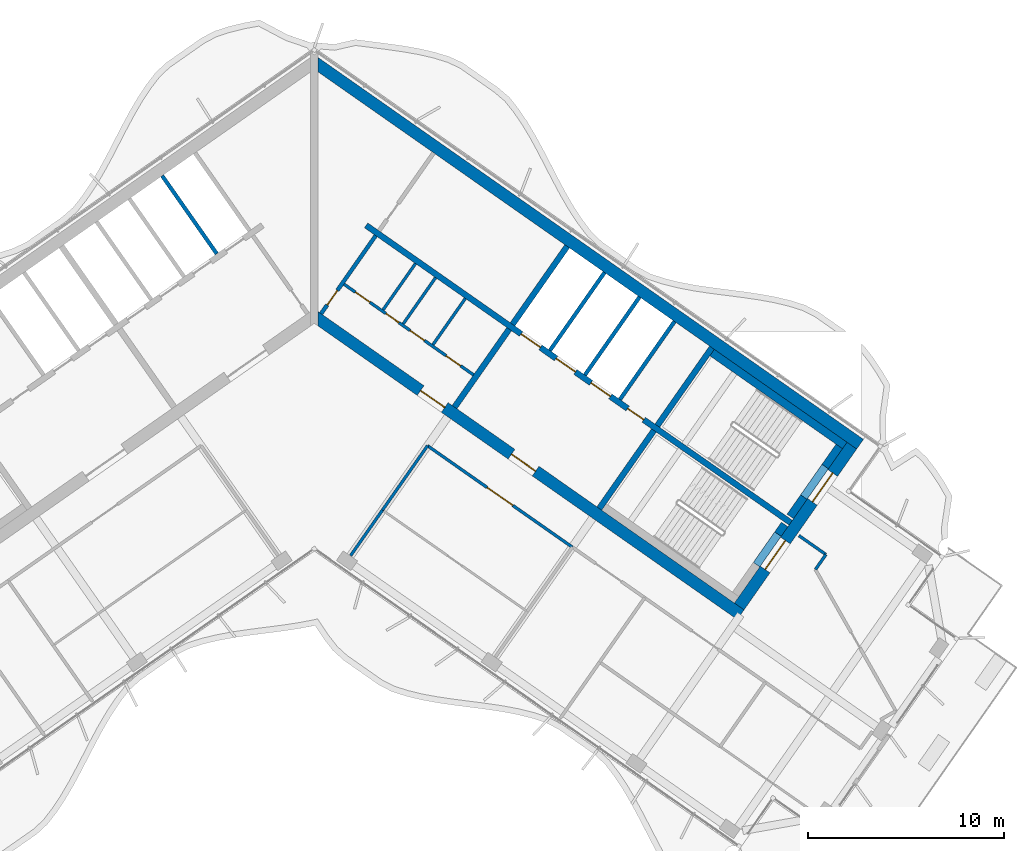
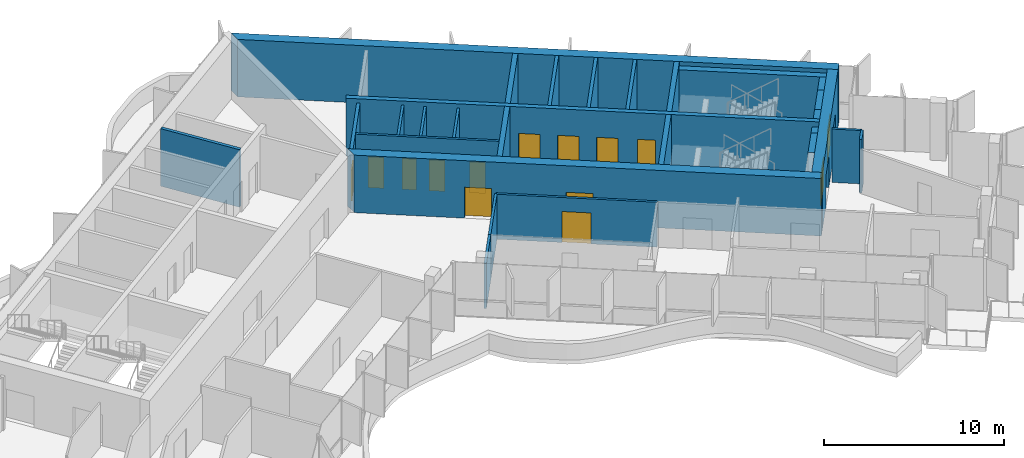
# One storey, part 13 of 21: 28 walls, 14 doors, 14 openings.
"""IFC4 building model written with IfcOpenShell, lengths in metres."""

from ifc_helpers import new_model, si_unit, direction, frame, frame_2d, origin, place, context, subcontext, project, spatial, polyline, rectangle, outline, extrude, material, layer, layer_set, type_object, element, fill, save


model = new_model("IFC4")

# Units and contexts
model_context = context("Model", 3, precision=1e-05, world=origin(), true_north=direction((0.0, 1.0)))
body_context = subcontext(model_context, "Body", "Model", "MODEL_VIEW")
ifc_project = project(units=[si_unit("LENGTHUNIT", "METRE"), si_unit("AREAUNIT", "SQUARE_METRE"), si_unit("VOLUMEUNIT", "CUBIC_METRE"), si_unit("PLANEANGLEUNIT", "RADIAN"), si_unit("MASSUNIT", "GRAM", prefix="KILO")], contexts=[model_context])

# Site, building, storey
site_placement = place(None, origin())
site = spatial("IfcSite", under=ifc_project, at=site_placement, CompositionType="ELEMENT")
building_placement = place(site_placement, origin())
building = spatial("IfcBuilding", under=site, at=building_placement, Name="Tel Ilan Convention Tower", CompositionType="ELEMENT")
storey_placement = place(building_placement, frame((0.0, 0.0, 225.39990234375)))
storey = spatial("IfcBuildingStorey", under=building, at=storey_placement, Name="L52", CompositionType="ELEMENT", Elevation=225.39990234375)

# Wall, openings, doors
ifc_material_1 = material(Name="Gypsum Plasterboard on Steel Stud", Category="steel")
ifc_layer_1 = layer(ifc_material_1, 0.14990234375)
ifc_layer_set_1 = layer_set([ifc_layer_1], Name="Core Room Partition Wall 150 mm EI 60")
wall_type_1 = type_object("IfcWallType", Name="Core Room Partition Wall 150 mm EI 60", PredefinedType="PARTITIONING", material=ifc_layer_set_1)
wall_1_placement = place(storey_placement, frame((1.515625, 0.77001953125, 0.0), z_axis=(0.0, 0.0, 1.0), x_axis=(0.819146424436, -0.573584462249, 0.0)))
wall_1 = element("IfcWall", 1, at=wall_1_placement, inside=storey, type_object=wall_type_1, Name="L52 core wall wc-h1", PredefinedType="PARTITIONING", context=body_context, shape_type="SweptSolid", body=[
    extrude(rectangle(XDim=8.050048828125, YDim=0.14990234375, at=frame_2d((4.02490234375, 0.0))), origin(), (0.0, 0.0, 1.0), 3.6201171875),
])
opening_1_placement = place(wall_1_placement, frame((0.699951171875, 0.0, 0.0)))
opening_1 = element("IfcOpeningElement", 2, at=opening_1_placement, cuts=wall_1, Name="Opening CD4113", PredefinedType="OPENING", context=body_context, shape_type="SweptSolid", body=[
    extrude(rectangle(XDim=0.89990234375, YDim=2.10009765625, at=frame_2d((0.449951171875, 1.050048828125))), frame((0.0, 0.0849609375, 0.0), z_axis=(0.0, -1.0, 0.0), x_axis=(1.0, 0.0, 0.0)), (0.0, 0.0, 1.0), 0.169921875),
])
opening_2_placement = place(wall_1_placement, frame((2.60009765625, 0.0, 0.0)))
opening_2 = element("IfcOpeningElement", 3, at=opening_2_placement, cuts=wall_1, Name="Opening CD4112", PredefinedType="OPENING", context=body_context, shape_type="SweptSolid", body=[
    extrude(rectangle(XDim=0.800048828125, YDim=2.10009765625, at=frame_2d((0.39990234375, 1.050048828125))), frame((0.0, 0.0849609375, 0.0), z_axis=(0.0, -1.0, 0.0), x_axis=(1.0, 0.0, 0.0)), (0.0, 0.0, 1.0), 0.169921875),
])
opening_3_placement = place(wall_1_placement, frame((4.10009765625, 0.0, 0.0)))
opening_3 = element("IfcOpeningElement", 4, at=opening_3_placement, cuts=wall_1, Name="Opening CD4111", PredefinedType="OPENING", context=body_context, shape_type="SweptSolid", body=[
    extrude(rectangle(XDim=0.89990234375, YDim=2.10009765625, at=frame_2d((0.449951171875, 1.050048828125))), frame((0.0, 0.0849609375, 0.0), z_axis=(0.0, -1.0, 0.0), x_axis=(1.0, 0.0, 0.0)), (0.0, 0.0, 1.0), 0.169921875),
])
opening_4_placement = place(wall_1_placement, frame((6.35009765625, 0.0, 0.0)))
opening_4 = element("IfcOpeningElement", 5, at=opening_4_placement, cuts=wall_1, Name="Opening CD4114", PredefinedType="OPENING", context=body_context, shape_type="SweptSolid", body=[
    extrude(rectangle(XDim=0.89990234375, YDim=2.10009765625, at=frame_2d((0.449951171875, 1.050048828125))), frame((0.0, 0.0849609375, 0.0), z_axis=(0.0, -1.0, 0.0), x_axis=(1.0, 0.0, 0.0)), (0.0, 0.0, 1.0), 0.169921875),
])
ifc_material_2 = material(Name="Galvanised Steel Door Leaf", Category="steel")
door_type_1 = type_object("IfcDoorType", Name="Store Door 800 x 2100 FD60", OperationType="NOTDEFINED", PredefinedType="DOOR", material=ifc_material_2)
door_1_placement = place(opening_2_placement, origin())
door_1 = element("IfcDoor", 6, at=door_1_placement, inside=storey, type_object=door_type_1, Name="Cleaner's store door", OperationType="SINGLE_SWING_RIGHT", OverallHeight=2.10009765625, OverallWidth=0.800048828125, PredefinedType="DOOR", context=body_context, shape_type="SweptSolid", body=[
    extrude(rectangle(XDim=0.800048828125, YDim=2.10009765625, at=frame_2d((0.39990234375, 1.050048828125))), frame((0.0, 0.02490234375, 0.0), z_axis=(0.0, -1.0, 0.0), x_axis=(1.0, 0.0, 0.0)), (0.0, 0.0, 1.0), 0.050048828125),
])
fill(opening_2, door_1)
ifc_material_3 = material(Name="Laminated Timber Door Leaf", Category="wood")
door_type_2 = type_object("IfcDoorType", Name="Toilet Door 900 x 2100 FD30S", OperationType="NOTDEFINED", PredefinedType="DOOR", material=ifc_material_3)
door_2_placement = place(opening_1_placement, origin())
door_2 = element("IfcDoor", 7, at=door_2_placement, inside=storey, type_object=door_type_2, Name="Men's WC door", OperationType="SINGLE_SWING_RIGHT", OverallHeight=2.10009765625, OverallWidth=0.89990234375, PredefinedType="DOOR", context=body_context, shape_type="SweptSolid", body=[
    extrude(rectangle(XDim=0.89990234375, YDim=2.10009765625, at=frame_2d((0.449951171875, 1.050048828125))), frame((0.0, 0.02490234375, 0.0), z_axis=(0.0, -1.0, 0.0), x_axis=(1.0, 0.0, 0.0)), (0.0, 0.0, 1.0), 0.050048828125),
])
fill(opening_1, door_2)
door_3_placement = place(opening_3_placement, origin())
door_3 = element("IfcDoor", 8, at=door_3_placement, inside=storey, type_object=door_type_2, Name="Accessible WC door", OperationType="SINGLE_SWING_RIGHT", OverallHeight=2.10009765625, OverallWidth=0.89990234375, PredefinedType="DOOR", context=body_context, shape_type="SweptSolid", body=[
    extrude(rectangle(XDim=0.89990234375, YDim=2.10009765625, at=frame_2d((0.449951171875, 1.050048828125))), frame((0.0, 0.02490234375, 0.0), z_axis=(0.0, -1.0, 0.0), x_axis=(1.0, 0.0, 0.0)), (0.0, 0.0, 1.0), 0.050048828125),
])
fill(opening_3, door_3)
door_4_placement = place(opening_4_placement, origin())
door_4 = element("IfcDoor", 9, at=door_4_placement, inside=storey, type_object=door_type_2, Name="Women's WC door", OperationType="SINGLE_SWING_RIGHT", OverallHeight=2.10009765625, OverallWidth=0.89990234375, PredefinedType="DOOR", context=body_context, shape_type="SweptSolid", body=[
    extrude(rectangle(XDim=0.89990234375, YDim=2.10009765625, at=frame_2d((0.449951171875, 1.050048828125))), frame((0.0, 0.02490234375, 0.0), z_axis=(0.0, -1.0, 0.0), x_axis=(1.0, 0.0, 0.0)), (0.0, 0.0, 1.0), 0.050048828125),
])
fill(opening_4, door_4)

# Walls
wall_2_placement = place(storey_placement, frame((3.504150390625, -0.531005859375, 0.0), z_axis=(0.0, 0.0, 1.0), x_axis=(0.573582013179, 0.819148139324, 0.0)))
element("IfcWall", 10, at=wall_2_placement, inside=storey, type_object=wall_type_1, Name="L52 core wall wc-v0", PredefinedType="PARTITIONING", context=body_context, shape_type="SweptSolid", body=[
    extrude(rectangle(XDim=2.875244140625, YDim=0.14990234375, at=frame_2d((1.4375, 0.0))), origin(), (0.0, 0.0, 1.0), 3.6201171875),
])
wall_3_placement = place(storey_placement, frame((4.528076171875, -1.247802734375, 0.0), z_axis=(0.0, 0.0, 1.0), x_axis=(0.573621911162, 0.819120200602, 0.0)))
element("IfcWall", 11, at=wall_3_placement, inside=storey, type_object=wall_type_1, Name="L52 core wall wc-v1", PredefinedType="PARTITIONING", context=body_context, shape_type="SweptSolid", body=[
    extrude(rectangle(XDim=2.875, YDim=0.14990234375, at=frame_2d((1.4375, 0.0))), origin(), (0.0, 0.0, 1.0), 3.6201171875),
])
wall_4_placement = place(storey_placement, frame((6.043701171875, -2.30908203125, 0.0), z_axis=(0.0, 0.0, 1.0), x_axis=(0.573564930514, 0.819160100642, 0.0)))
element("IfcWall", 12, at=wall_4_placement, inside=storey, type_object=wall_type_1, Name="L52 core wall wc-v2", PredefinedType="PARTITIONING", context=body_context, shape_type="SweptSolid", body=[
    extrude(rectangle(XDim=2.874755859375, YDim=0.14990234375, at=frame_2d((1.4375, 0.0))), origin(), (0.0, 0.0, 1.0), 3.6201171875),
])

# Wall, opening, door
ifc_material_4 = material(Name="Concrete C30/37", Category="concrete")
ifc_layer_2 = layer(ifc_material_4, 0.199951171875)
ifc_layer_set_2 = layer_set([ifc_layer_2], Name="Core Service Room Wall 200 mm C30/37")
wall_type_2 = type_object("IfcWallType", Name="Core Service Room Wall 200 mm C30/37", PredefinedType="SOLIDWALL", material=ifc_layer_set_2)
wall_5_placement = place(storey_placement, frame((0.343994140625, -0.729248046875, 0.0), z_axis=(0.0, 0.0, 1.0), x_axis=(0.573560315113, 0.819163332265, 0.0)))
wall_5 = element("IfcWall", 13, at=wall_5_placement, inside=storey, type_object=wall_type_2, Name="L52 core wall apex-E", PredefinedType="SOLIDWALL", context=body_context, shape_type="SweptSolid", body=[
    extrude(rectangle(XDim=4.849853515625, YDim=0.199951171875, at=frame_2d((2.4248046875, 0.0))), origin(), (0.0, 0.0, 1.0), 3.6201171875),
])
opening_5_placement = place(wall_5_placement, frame((0.550048828125, 0.0, 0.0)))
opening_5 = element("IfcOpeningElement", 14, at=opening_5_placement, cuts=wall_5, Name="Opening CD4101", PredefinedType="OPENING", context=body_context, shape_type="SweptSolid", body=[
    extrude(rectangle(XDim=0.89990234375, YDim=2.10009765625, at=frame_2d((0.449951171875, 1.050048828125))), frame((0.0, 0.10986328125, 0.0), z_axis=(0.0, -1.0, 0.0), x_axis=(1.0, 0.0, 0.0)), (0.0, 0.0, 1.0), 0.219970703125),
])
ifc_material_5 = material(Name="Galvanised Steel Door Leaf", Category="steel")
door_type_3 = type_object("IfcDoorType", Name="Service Room Door 900 x 2100 FD60", OperationType="NOTDEFINED", PredefinedType="DOOR", material=ifc_material_5)
door_5_placement = place(opening_5_placement, origin())
door_5 = element("IfcDoor", 15, at=door_5_placement, inside=storey, type_object=door_type_3, Name="Electrical Room door", OperationType="SINGLE_SWING_RIGHT", OverallHeight=2.10009765625, OverallWidth=0.89990234375, PredefinedType="DOOR", context=body_context, shape_type="SweptSolid", body=[
    extrude(rectangle(XDim=0.89990234375, YDim=2.10009765625, at=frame_2d((0.449951171875, 1.050048828125))), frame((0.0, 0.02490234375, 0.0), z_axis=(0.0, -1.0, 0.0), x_axis=(1.0, 0.0, 0.0)), (0.0, 0.0, 1.0), 0.050048828125),
])
fill(opening_5, door_5)

# Walls
ifc_material_6 = material(Name="Concrete C40/50", Category="concrete")
ifc_layer_3 = layer(ifc_material_6, 0.300048828125)
ifc_layer_set_3 = layer_set([ifc_layer_3], Name="Core Shear Wall 300 mm C40/50")
wall_type_3 = type_object("IfcWallType", Name="Core Shear Wall 300 mm C40/50", PredefinedType="SHEAR", material=ifc_layer_set_3)
wall_6_placement = place(storey_placement, frame((7.142822265625, -5.48974609375, 0.0), z_axis=(0.0, 0.0, 1.0), x_axis=(0.573617744349, 0.819123118565, 0.0)))
element("IfcWall", 16, at=wall_6_placement, inside=storey, type_object=wall_type_3, Name="L52 core wall E-cross1-1", PredefinedType="SHEAR", context=body_context, shape_type="SweptSolid", body=[
    extrude(outline(polyline([(0.0, 0.14990234375), (0.0, -0.150146484375), (4.85009765625, -0.14990234375), (4.85009765625, 0.150146484375), (0.0, 0.14990234375)])), origin(), (0.0, 0.0, 1.0), 3.900146484375),
])
wall_7_placement = place(storey_placement, frame((10.096923828125, -1.271240234375, 0.0), z_axis=(0.0, 0.0, 1.0), x_axis=(0.573560315113, 0.819163332265, 0.0)))
element("IfcWall", 17, at=wall_7_placement, inside=storey, type_object=wall_type_3, Name="L52 core wall E-cross1-2", PredefinedType="SHEAR", context=body_context, shape_type="SweptSolid", body=[
    extrude(outline(polyline([(4.849853515625, -0.150146484375), (4.849853515625, 0.14990234375), (0.0, 0.150146484375), (0.0, -0.14990234375), (4.849853515625, -0.150146484375)])), origin(), (0.0, 0.0, 1.0), 3.900146484375),
])
wall_8_placement = place(storey_placement, frame((14.515380859375, -10.652099609375, 0.0), z_axis=(0.0, 0.0, 1.0), x_axis=(0.573560315113, 0.819163332265, 0.0)))
element("IfcWall", 18, at=wall_8_placement, inside=storey, type_object=wall_type_3, Name="L52 core wall E-cross2-1", PredefinedType="SHEAR", context=body_context, shape_type="SweptSolid", body=[
    extrude(outline(polyline([(0.0, 0.150146484375), (0.0, -0.14990234375), (4.85009765625, -0.14990234375), (4.85009765625, 0.14990234375), (0.0, 0.150146484375)])), origin(), (0.0, 0.0, 1.0), 3.900146484375),
])
wall_9_placement = place(storey_placement, frame((17.46923828125, -6.433349609375, 0.0), z_axis=(0.0, 0.0, 1.0), x_axis=(0.573594092424, 0.81913968109, 0.0)))
element("IfcWall", 19, at=wall_9_placement, inside=storey, type_object=wall_type_3, Name="L52 core wall E-cross2-2", PredefinedType="SHEAR", context=body_context, shape_type="SweptSolid", body=[
    extrude(outline(polyline([(4.849853515625, -0.14990234375), (4.849853515625, 0.150146484375), (0.0, 0.14990234375), (0.0, -0.14990234375), (4.849853515625, -0.14990234375)])), origin(), (0.0, 0.0, 1.0), 3.900146484375),
])

# Wall, openings, doors
wall_10_placement = place(storey_placement, frame((2.638427734375, 3.76806640625, 0.0), z_axis=(0.0, 0.0, 1.0), x_axis=(0.819155014212, -0.573572194837, 0.0)))
wall_10 = element("IfcWall", 20, at=wall_10_placement, inside=storey, type_object=wall_type_3, Name="L52 core wall E-spine", PredefinedType="SHEAR", context=body_context, shape_type="SweptSolid", body=[
    extrude(outline(polyline([(0.0, 0.150146484375), (0.0, -0.14990234375), (26.39990234375, -0.150146484375), (26.39990234375, 0.14990234375), (0.0, 0.150146484375)])), origin(), (0.0, 0.0, 1.0), 3.900146484375),
])
opening_6_placement = place(wall_10_placement, frame((9.637451171875, 0.0, 0.0)))
opening_6 = element("IfcOpeningElement", 21, at=opening_6_placement, cuts=wall_10, Name="Opening LD4101", PredefinedType="OPENING", context=body_context, shape_type="SweptSolid", body=[
    extrude(rectangle(XDim=1.199951171875, YDim=2.10009765625, at=frame_2d((0.60009765625, 1.050048828125))), frame((0.0, 0.159912109375, 0.0), z_axis=(0.0, -1.0, 0.0), x_axis=(1.0, 0.0, 0.0)), (0.0, 0.0, 1.0), 0.320068359375),
])
opening_7_placement = place(wall_10_placement, frame((11.8125, 0.0, 0.0)))
opening_7 = element("IfcOpeningElement", 22, at=opening_7_placement, cuts=wall_10, Name="Opening LD4102", PredefinedType="OPENING", context=body_context, shape_type="SweptSolid", body=[
    extrude(rectangle(XDim=1.199951171875, YDim=2.10009765625, at=frame_2d((0.60009765625, 1.050048828125))), frame((0.0, 0.159912109375, 0.0), z_axis=(0.0, -1.0, 0.0), x_axis=(1.0, 0.0, 0.0)), (0.0, 0.0, 1.0), 0.320068359375),
])
opening_8_placement = place(wall_10_placement, frame((13.987548828125, 0.0, 0.0)))
opening_8 = element("IfcOpeningElement", 23, at=opening_8_placement, cuts=wall_10, Name="Opening LD4103", PredefinedType="OPENING", context=body_context, shape_type="SweptSolid", body=[
    extrude(rectangle(XDim=1.199951171875, YDim=2.10009765625, at=frame_2d((0.60009765625, 1.050048828125))), frame((0.0, 0.159912109375, 0.0), z_axis=(0.0, -1.0, 0.0), x_axis=(1.0, 0.0, 0.0)), (0.0, 0.0, 1.0), 0.320068359375),
])
opening_9_placement = place(wall_10_placement, frame((16.262451171875, 0.0, 0.0)))
opening_9 = element("IfcOpeningElement", 24, at=opening_9_placement, cuts=wall_10, Name="Opening CD4108", PredefinedType="OPENING", context=body_context, shape_type="SweptSolid", body=[
    extrude(rectangle(XDim=1.0, YDim=2.10009765625, at=frame_2d((0.5, 1.050048828125))), frame((0.0, 0.159912109375, 0.0), z_axis=(0.0, -1.0, 0.0), x_axis=(1.0, 0.0, 0.0)), (0.0, 0.0, 1.0), 0.320068359375),
])
ifc_material_7 = material(Name="Stainless Steel Sliding Door Leaf", Category="steel")
door_type_4 = type_object("IfcDoorType", Name="Lift Landing Door 1200 x 2100 FD120", OperationType="NOTDEFINED", PredefinedType="DOOR", material=ifc_material_7)
door_6_placement = place(opening_6_placement, origin())
door_6 = element("IfcDoor", 25, at=door_6_placement, inside=storey, type_object=door_type_4, Name="Lift FL1 landing door", OperationType="SLIDING_TO_LEFT", OverallHeight=2.10009765625, OverallWidth=1.199951171875, PredefinedType="DOOR", context=body_context, shape_type="SweptSolid", body=[
    extrude(rectangle(XDim=1.199951171875, YDim=2.10009765625, at=frame_2d((0.60009765625, 1.050048828125))), frame((0.0, 0.02490234375, 0.0), z_axis=(0.0, -1.0, 0.0), x_axis=(1.0, 0.0, 0.0)), (0.0, 0.0, 1.0), 0.050048828125),
])
fill(opening_6, door_6)
door_7_placement = place(opening_7_placement, origin())
door_7 = element("IfcDoor", 26, at=door_7_placement, inside=storey, type_object=door_type_4, Name="Lift FL2 landing door", OperationType="SLIDING_TO_RIGHT", OverallHeight=2.10009765625, OverallWidth=1.199951171875, PredefinedType="DOOR", context=body_context, shape_type="SweptSolid", body=[
    extrude(rectangle(XDim=1.199951171875, YDim=2.10009765625, at=frame_2d((0.60009765625, 1.050048828125))), frame((0.0, 0.02490234375, 0.0), z_axis=(0.0, -1.0, 0.0), x_axis=(1.0, 0.0, 0.0)), (0.0, 0.0, 1.0), 0.050048828125),
])
fill(opening_7, door_7)
door_8_placement = place(opening_8_placement, origin())
door_8 = element("IfcDoor", 27, at=door_8_placement, inside=storey, type_object=door_type_4, Name="Lift FL3 landing door", OperationType="SLIDING_TO_LEFT", OverallHeight=2.10009765625, OverallWidth=1.199951171875, PredefinedType="DOOR", context=body_context, shape_type="SweptSolid", body=[
    extrude(rectangle(XDim=1.199951171875, YDim=2.10009765625, at=frame_2d((0.60009765625, 1.050048828125))), frame((0.0, 0.02490234375, 0.0), z_axis=(0.0, -1.0, 0.0), x_axis=(1.0, 0.0, 0.0)), (0.0, 0.0, 1.0), 0.050048828125),
])
fill(opening_8, door_8)
ifc_material_8 = material(Name="Galvanised Steel Door Leaf", Category="steel")
door_type_5 = type_object("IfcDoorType", Name="Service Room Door 1000 x 2100 FD60", OperationType="NOTDEFINED", PredefinedType="DOOR", material=ifc_material_8)
door_9_placement = place(opening_9_placement, origin())
door_9 = element("IfcDoor", 28, at=door_9_placement, inside=storey, type_object=door_type_5, Name="Plant Room door", OperationType="SINGLE_SWING_RIGHT", OverallHeight=2.10009765625, OverallWidth=1.0, PredefinedType="DOOR", context=body_context, shape_type="SweptSolid", body=[
    extrude(rectangle(XDim=1.0, YDim=2.10009765625, at=frame_2d((0.5, 1.050048828125))), frame((0.0, 0.02490234375, 0.0), z_axis=(0.0, -1.0, 0.0), x_axis=(1.0, 0.0, 0.0)), (0.0, 0.0, 1.0), 0.050048828125),
])
fill(opening_9, door_9)

# Wall
ifc_material_9 = material(Name="Concrete C40/50", Category="concrete")
ifc_layer_4 = layer(ifc_material_9, 0.60009765625)
ifc_layer_set_4 = layer_set([ifc_layer_4], Name="Core Shear Wall 600 mm C40/50")
wall_type_4 = type_object("IfcWallType", Name="Core Shear Wall 600 mm C40/50", PredefinedType="SHEAR", material=ifc_layer_set_4)
wall_11_placement = place(storey_placement, frame((0.02783203125, 12.066162109375, 0.0), z_axis=(0.0, 0.0, 1.0), x_axis=(0.819151382952, -0.573577380837, 0.0)))
element("IfcWall", 29, at=wall_11_placement, inside=storey, type_object=wall_type_4, Name="L52 core wall E-back", PredefinedType="SHEAR", context=body_context, shape_type="SweptSolid", body=[
    extrude(outline(polyline([(33.898193359375, 0.300048828125), (0.0, 0.300048828125), (0.420166015625, -0.300048828125), (33.89794921875, -0.300048828125), (33.898193359375, 0.300048828125)])), origin(), (0.0, 0.0, 1.0), 3.900146484375),
])

# Wall, openings, doors
wall_12_placement = place(storey_placement, frame((0.02783203125, -0.8740234375, 0.0), z_axis=(0.0, 0.0, 1.0), x_axis=(0.819150035022, -0.573579305871, 0.0)))
wall_12 = element("IfcWall", 30, at=wall_12_placement, inside=storey, type_object=wall_type_4, Name="L52 core wall E-front", PredefinedType="SHEAR", context=body_context, shape_type="SweptSolid", body=[
    extrude(outline(polyline([(26.475830078125, 0.300048828125), (0.000244140625, 0.300048828125), (0.420166015625, -0.300048828125), (26.475830078125, -0.2998046875), (26.475830078125, 0.300048828125)])), origin(), (0.0, 0.0, 1.0), 3.900146484375),
])
opening_10_placement = place(wall_12_placement, frame((6.57568359375, 0.0, 0.0)))
opening_10 = element("IfcOpeningElement", 31, at=opening_10_placement, cuts=wall_12, Name="Opening CD4104", PredefinedType="OPENING", context=body_context, shape_type="SweptSolid", body=[
    extrude(rectangle(XDim=1.5, YDim=2.10009765625, at=frame_2d((0.75, 1.050048828125))), frame((0.0, 0.31005859375, 0.0), z_axis=(0.0, -1.0, 0.0), x_axis=(1.0, 0.0, 0.0)), (0.0, 0.0, 1.0), 0.6201171875),
])
opening_11_placement = place(wall_12_placement, frame((12.225830078125, 0.0, 0.0)))
opening_11 = element("IfcOpeningElement", 32, at=opening_11_placement, cuts=wall_12, Name="Opening CD4105", PredefinedType="OPENING", context=body_context, shape_type="SweptSolid", body=[
    extrude(rectangle(XDim=1.5, YDim=2.10009765625, at=frame_2d((0.75, 1.050048828125))), frame((0.0, 0.31005859375, 0.0), z_axis=(0.0, -1.0, 0.0), x_axis=(1.0, 0.0, 0.0)), (0.0, 0.0, 1.0), 0.6201171875),
])
ifc_material_10 = material(Name="Glazed Aluminium Door Leaf", Category="aluminium")
door_type_6 = type_object("IfcDoorType", Name="Lobby Opening Door 1500 x 2100 FD60S", OperationType="NOTDEFINED", PredefinedType="DOOR", material=ifc_material_10)
door_10_placement = place(opening_11_placement, origin())
door_10 = element("IfcDoor", 33, at=door_10_placement, inside=storey, type_object=door_type_6, Name="Firefighting Lobby door", OperationType="DOUBLE_DOOR_SINGLE_SWING", OverallHeight=2.10009765625, OverallWidth=1.5, PredefinedType="DOOR", context=body_context, shape_type="SweptSolid", body=[
    extrude(rectangle(XDim=1.5, YDim=2.10009765625, at=frame_2d((0.75, 1.050048828125))), frame((0.0, 0.02490234375, 0.0), z_axis=(0.0, -1.0, 0.0), x_axis=(1.0, 0.0, 0.0)), (0.0, 0.0, 1.0), 0.050048828125),
])
fill(opening_11, door_10)
ifc_material_11 = material(Name="Laminated Timber Door Leaf", Category="wood")
door_type_7 = type_object("IfcDoorType", Name="Toilet Door 1500 x 2100 FD30S", OperationType="NOTDEFINED", PredefinedType="DOOR", material=ifc_material_11)
door_11_placement = place(opening_10_placement, origin())
door_11 = element("IfcDoor", 34, at=door_11_placement, inside=storey, type_object=door_type_7, Name="WC Lobby door", OperationType="SINGLE_SWING_RIGHT", OverallHeight=2.10009765625, OverallWidth=1.5, PredefinedType="DOOR", context=body_context, shape_type="SweptSolid", body=[
    extrude(rectangle(XDim=1.5, YDim=2.10009765625, at=frame_2d((0.75, 1.050048828125))), frame((0.0, 0.02490234375, 0.0), z_axis=(0.0, -1.0, 0.0), x_axis=(1.0, 0.0, 0.0)), (0.0, 0.0, 1.0), 0.050048828125),
])
fill(opening_10, door_11)

wall_13_placement = place(storey_placement, frame((21.641845703125, -15.64208984375, 0.0), z_axis=(0.0, 0.0, 1.0), x_axis=(0.573586866468, 0.819144740944, 0.0)))
wall_13 = element("IfcWall", 35, at=wall_13_placement, inside=storey, type_object=wall_type_4, Name="L52 core wall E-end", PredefinedType="SHEAR", context=body_context, shape_type="SweptSolid", body=[
    extrude(outline(polyline([(10.0, 0.300048828125), (0.0, 0.2998046875), (0.0, -0.300048828125), (10.0, -0.300048828125), (10.0, 0.300048828125)])), origin(), (0.0, 0.0, 1.0), 3.900146484375),
])
opening_12_placement = place(wall_13_placement, frame((6.5, 0.0, 0.0)))
opening_12 = element("IfcOpeningElement", 36, at=opening_12_placement, cuts=wall_13, Name="Opening SD4103", PredefinedType="OPENING", context=body_context, shape_type="SweptSolid", body=[
    extrude(rectangle(XDim=1.800048828125, YDim=2.10009765625, at=frame_2d((0.89990234375, 1.050048828125))), frame((0.0, 0.31005859375, 0.0), z_axis=(0.0, -1.0, 0.0), x_axis=(1.0, 0.0, 0.0)), (0.0, 0.0, 1.0), 0.6201171875),
])
opening_13_placement = place(wall_13_placement, frame((2.300048828125, 0.0, 0.0)))
opening_13 = element("IfcOpeningElement", 37, at=opening_13_placement, cuts=wall_13, Name="Opening SD4104", PredefinedType="OPENING", context=body_context, shape_type="SweptSolid", body=[
    extrude(rectangle(XDim=1.800048828125, YDim=2.10009765625, at=frame_2d((0.89990234375, 1.050048828125))), frame((0.0, 0.31005859375, 0.0), z_axis=(0.0, -1.0, 0.0), x_axis=(1.0, 0.0, 0.0)), (0.0, 0.0, 1.0), 0.6201171875),
])
ifc_material_12 = material(Name="Galvanised Steel Door Leaf", Category="steel")
door_type_8 = type_object("IfcDoorType", Name="Stair Fire Door 1800 x 2100 FD60S", OperationType="NOTDEFINED", PredefinedType="DOOR", material=ifc_material_12)
door_12_placement = place(opening_12_placement, origin())
door_12 = element("IfcDoor", 38, at=door_12_placement, inside=storey, type_object=door_type_8, Name="Stair S3 door", OperationType="DOUBLE_DOOR_SINGLE_SWING", OverallHeight=2.10009765625, OverallWidth=1.800048828125, PredefinedType="DOOR", context=body_context, shape_type="SweptSolid", body=[
    extrude(rectangle(XDim=1.800048828125, YDim=2.10009765625, at=frame_2d((0.89990234375, 1.050048828125))), frame((0.0, 0.02490234375, 0.0), z_axis=(0.0, -1.0, 0.0), x_axis=(1.0, 0.0, 0.0)), (0.0, 0.0, 1.0), 0.050048828125),
])
fill(opening_12, door_12)
door_13_placement = place(opening_13_placement, origin())
door_13 = element("IfcDoor", 39, at=door_13_placement, inside=storey, type_object=door_type_8, Name="Stair S4 door", OperationType="DOUBLE_DOOR_SINGLE_SWING", OverallHeight=2.10009765625, OverallWidth=1.800048828125, PredefinedType="DOOR", context=body_context, shape_type="SweptSolid", body=[
    extrude(rectangle(XDim=1.800048828125, YDim=2.10009765625, at=frame_2d((0.89990234375, 1.050048828125))), frame((0.0, 0.02490234375, 0.0), z_axis=(0.0, -1.0, 0.0), x_axis=(1.0, 0.0, 0.0)), (0.0, 0.0, 1.0), 0.050048828125),
])
fill(opening_13, door_13)

# Wall, opening, door
ifc_material_13 = material(Name="Plasterboard on Steel Studs", Category="steel")
ifc_layer_5 = layer(ifc_material_13, 0.14990234375)
ifc_layer_set_5 = layer_set([ifc_layer_5], Name="Fire-rated Partition 150 EI 60")
wall_type_5 = type_object("IfcWallType", Name="Fire-rated Partition 150 EI 60", PredefinedType="PARTITIONING", material=ifc_layer_set_5)
wall_14_placement = place(storey_placement, frame((13.140380859375, -12.619140625, 0.0), z_axis=(0.0, 0.0, 1.0), x_axis=(-0.81915291695, 0.57357519006, 0.0)))
wall_14 = element("IfcWall", 40, at=wall_14_placement, inside=storey, type_object=wall_type_5, Name="Partition 001", PredefinedType="PARTITIONING", context=body_context, shape_type="SweptSolid", body=[
    extrude(rectangle(XDim=9.001953125, YDim=0.14990234375, at=frame_2d((4.5009765625, 0.0))), origin(), (0.0, 0.0, 1.0), 3.050048828125),
])
opening_14_placement = place(wall_14_placement, frame((3.700927734375, 0.0, 0.0)))
opening_14 = element("IfcOpeningElement", 41, at=opening_14_placement, cuts=wall_14, Name="Opening L52-009", PredefinedType="OPENING", context=body_context, shape_type="SweptSolid", body=[
    extrude(rectangle(XDim=1.60009765625, YDim=2.10009765625, at=frame_2d((0.800048828125, 1.050048828125))), frame((0.0, 0.0849609375, 0.0), z_axis=(0.0, -1.0, 0.0), x_axis=(1.0, 0.0, 0.0)), (0.0, 0.0, 1.0), 0.169921875),
])
ifc_material_14 = material(Name="Timber Door Leaf in Steel Frame", Category="steel")
door_type_9 = type_object("IfcDoorType", Name="Tenant Suite Entrance Fire Door 1600x2100", OperationType="NOTDEFINED", PredefinedType="DOOR", material=ifc_material_14)
door_14_placement = place(opening_14_placement, origin())
door_14 = element("IfcDoor", 42, at=door_14_placement, inside=storey, type_object=door_type_9, Name="Door L52-009", OperationType="DOUBLE_DOOR_SINGLE_SWING", OverallHeight=2.10009765625, OverallWidth=1.60009765625, PredefinedType="DOOR", context=body_context, shape_type="SweptSolid", body=[
    extrude(rectangle(XDim=1.60009765625, YDim=2.10009765625, at=frame_2d((0.800048828125, 1.050048828125))), frame((0.0, 0.02490234375, 0.0), z_axis=(0.0, -1.0, 0.0), x_axis=(1.0, 0.0, 0.0)), (0.0, 0.0, 1.0), 0.050048828125),
])
fill(opening_14, door_14)

# Walls
wall_15_placement = place(storey_placement, frame((25.52392578125, -13.75927734375, 0.0), z_axis=(0.0, 0.0, 1.0), x_axis=(0.573497542524, 0.81920728068, 0.0)))
element("IfcWall", 43, at=wall_15_placement, inside=storey, type_object=wall_type_5, Name="Partition 014", PredefinedType="PARTITIONING", context=body_context, shape_type="SweptSolid", body=[
    extrude(rectangle(XDim=0.930908203125, YDim=0.14990234375, at=frame_2d((0.46533203125, 0.0))), origin(), (0.0, 0.0, 1.0), 3.6201171875),
])
wall_16_placement = place(storey_placement, frame((26.057861328125, -12.99658203125, 0.0), z_axis=(0.0, 0.0, 1.0), x_axis=(-0.819109000826, 0.573637903879, 0.0)))
element("IfcWall", 44, at=wall_16_placement, inside=storey, type_object=wall_type_5, Name="Partition 015", PredefinedType="PARTITIONING", context=body_context, shape_type="SweptSolid", body=[
    extrude(rectangle(XDim=1.679931640625, YDim=0.14990234375, at=frame_2d((0.83984375, 0.0))), origin(), (0.0, 0.0, 1.0), 3.6201171875),
])
wall_17_placement = place(storey_placement, frame((1.848876953125, -13.050537109375, 0.0), z_axis=(0.0, 0.0, 1.0), x_axis=(0.573555012677, 0.819167044889, 0.0)))
element("IfcWall", 45, at=wall_17_placement, inside=storey, type_object=wall_type_5, Name="Partition 018", PredefinedType="PARTITIONING", context=body_context, shape_type="SweptSolid", body=[
    extrude(rectangle(XDim=2.828857421875, YDim=0.14990234375, at=frame_2d((1.41455078125, 0.0))), origin(), (0.0, 0.0, 1.0), 3.050048828125),
])
wall_18_placement = place(storey_placement, frame((3.471923828125, -10.732421875, 0.0), z_axis=(0.0, 0.0, 1.0), x_axis=(0.573597512525, 0.819137286189, 0.0)))
element("IfcWall", 46, at=wall_18_placement, inside=storey, type_object=wall_type_5, Name="Partition 020", PredefinedType="PARTITIONING", context=body_context, shape_type="SweptSolid", body=[
    extrude(rectangle(XDim=4.0, YDim=0.14990234375, at=frame_2d((2.0, 0.0))), origin(), (0.0, 0.0, 1.0), 3.050048828125),
])
ifc_material_15 = material(Name="Concrete C30/37", Category="concrete")
ifc_layer_6 = layer(ifc_material_15, 0.199951171875)
ifc_layer_set_6 = layer_set([ifc_layer_6], Name="Lift Shaft Wall 200 mm C30/37")
wall_type_6 = type_object("IfcWallType", Name="Lift Shaft Wall 200 mm C30/37", PredefinedType="SOLIDWALL", material=ifc_layer_set_6)
wall_19_placement = place(storey_placement, frame((-4.966796875, 2.32080078125, 0.0), z_axis=(0.0, 0.0, 1.0), x_axis=(-0.573594092424, 0.81913968109, 0.0)))
element("IfcWall", 47, at=wall_19_placement, inside=storey, type_object=wall_type_6, Name="L52 core wall bank-W1-p0", PredefinedType="SOLIDWALL", context=body_context, shape_type="SweptSolid", body=[
    extrude(rectangle(XDim=4.85009765625, YDim=0.199951171875, at=frame_2d((2.425048828125, 0.0))), origin(), (0.0, 0.0, 1.0), 3.900146484375),
])
wall_20_placement = place(storey_placement, frame((12.00146484375, -2.604736328125, 0.0), z_axis=(0.0, 0.0, 1.0), x_axis=(0.573560315113, 0.819163332265, 0.0)))
element("IfcWall", 48, at=wall_20_placement, inside=storey, type_object=wall_type_6, Name="L52 core wall bank-E2-p0", PredefinedType="SOLIDWALL", context=body_context, shape_type="SweptSolid", body=[
    extrude(rectangle(XDim=4.849853515625, YDim=0.199951171875, at=frame_2d((2.4248046875, 0.0))), origin(), (0.0, 0.0, 1.0), 3.900146484375),
])
wall_21_placement = place(storey_placement, frame((13.782958984375, -3.852294921875, 0.0), z_axis=(0.0, 0.0, 1.0), x_axis=(0.573594092424, 0.81913968109, 0.0)))
element("IfcWall", 49, at=wall_21_placement, inside=storey, type_object=wall_type_6, Name="L52 core wall bank-E2-p1", PredefinedType="SOLIDWALL", context=body_context, shape_type="SweptSolid", body=[
    extrude(rectangle(XDim=4.85009765625, YDim=0.199951171875, at=frame_2d((2.425048828125, 0.0))), origin(), (0.0, 0.0, 1.0), 3.900146484375),
])
wall_22_placement = place(storey_placement, frame((15.564697265625, -5.099853515625, 0.0), z_axis=(0.0, 0.0, 1.0), x_axis=(0.573560315113, 0.819163332265, 0.0)))
element("IfcWall", 50, at=wall_22_placement, inside=storey, type_object=wall_type_6, Name="L52 core wall bank-E2-p2", PredefinedType="SOLIDWALL", context=body_context, shape_type="SweptSolid", body=[
    extrude(rectangle(XDim=4.849853515625, YDim=0.199951171875, at=frame_2d((2.4248046875, 0.0))), origin(), (0.0, 0.0, 1.0), 3.900146484375),
])
ifc_material_16 = material(Name="Concrete C30/37", Category="concrete")
ifc_layer_7 = layer(ifc_material_16, 0.39990234375)
ifc_layer_set_7 = layer_set([ifc_layer_7], Name="Stair and Shaft Lining Wall 400 mm C30/37")
wall_type_7 = type_object("IfcWallType", Name="Stair and Shaft Lining Wall 400 mm C30/37", PredefinedType="SOLIDWALL", material=ifc_layer_set_7)
wall_23_placement = place(storey_placement, frame((20.25927734375, -2.71044921875, 0.0), z_axis=(0.0, 0.0, 1.0), x_axis=(0.81914849389, -0.573581506813, 0.0)))
element("IfcWall", 51, at=wall_23_placement, inside=storey, type_object=wall_type_7, Name="L52 core wall lining-S3-t1", PredefinedType="SOLIDWALL", context=body_context, shape_type="SweptSolid", body=[
    extrude(rectangle(XDim=8.249755859375, YDim=0.39990234375, at=frame_2d((4.125, 0.0))), origin(), (0.0, 0.0, 1.0), 3.6201171875),
])
wall_24_placement = place(storey_placement, frame((24.24365234375, -11.0546875, 0.0), z_axis=(0.0, 0.0, 1.0), x_axis=(0.573571582932, 0.819155442668, 0.0)))
element("IfcWall", 52, at=wall_24_placement, inside=storey, type_object=wall_type_7, Name="L52 core wall lining-S3-u1-0", PredefinedType="SOLIDWALL", context=body_context, shape_type="SweptSolid", body=[
    extrude(rectangle(XDim=1.199951171875, YDim=0.39990234375, at=frame_2d((0.60009765625, 0.0))), origin(), (0.0, 0.0, 1.0), 3.6201171875),
])
wall_25_placement = place(storey_placement, frame((26.021728515625, -8.515380859375, 0.0), z_axis=(0.0, 0.0, 1.0), x_axis=(0.573619628835, 0.819121798889, 0.0)))
element("IfcWall", 53, at=wall_25_placement, inside=storey, type_object=wall_type_7, Name="L52 core wall lining-S3-u1-1", PredefinedType="SOLIDWALL", context=body_context, shape_type="SweptSolid", body=[
    extrude(rectangle(XDim=1.25, YDim=0.39990234375, at=frame_2d((0.625, 0.0))), origin(), (0.0, 0.0, 1.0), 3.6201171875),
])
wall_26_placement = place(storey_placement, frame((24.931884765625, -10.07177734375, 2.150146484375), z_axis=(0.0, 0.0, 1.0), x_axis=(0.573591692345, 0.819141361715, 0.0)))
element("IfcWall", 54, at=wall_26_placement, inside=storey, type_object=wall_type_7, Name="L52 core wall lining-S3-u1-lintel", PredefinedType="SOLIDWALL", context=body_context, shape_type="SweptSolid", body=[
    extrude(rectangle(XDim=1.900146484375, YDim=0.39990234375, at=frame_2d((0.9501953125, 0.0))), origin(), (0.0, 0.0, 1.0), 1.469970703125),
])
wall_27_placement = place(storey_placement, frame((23.61279296875, -11.955810546875, 0.0), z_axis=(0.0, 0.0, 1.0), x_axis=(0.573435029941, 0.819251039936, 0.0)))
element("IfcWall", 55, at=wall_27_placement, inside=storey, type_object=wall_type_7, Name="L52 core wall lining-S4-u1-1", PredefinedType="SOLIDWALL", context=body_context, shape_type="SweptSolid", body=[
    extrude(rectangle(XDim=0.599853515625, YDim=0.39990234375, at=frame_2d((0.2998046875, 0.0))), origin(), (0.0, 0.0, 1.0), 3.6201171875),
])
wall_28_placement = place(storey_placement, frame((22.52294921875, -13.51220703125, 2.150146484375), z_axis=(0.0, 0.0, 1.0), x_axis=(0.573591692345, 0.819141361715, 0.0)))
element("IfcWall", 56, at=wall_28_placement, inside=storey, type_object=wall_type_7, Name="L52 core wall lining-S4-u1-lintel", PredefinedType="SOLIDWALL", context=body_context, shape_type="SweptSolid", body=[
    extrude(rectangle(XDim=1.900146484375, YDim=0.39990234375, at=frame_2d((0.9501953125, 0.0))), origin(), (0.0, 0.0, 1.0), 1.469970703125),
])

save(model, "model.ifc")
